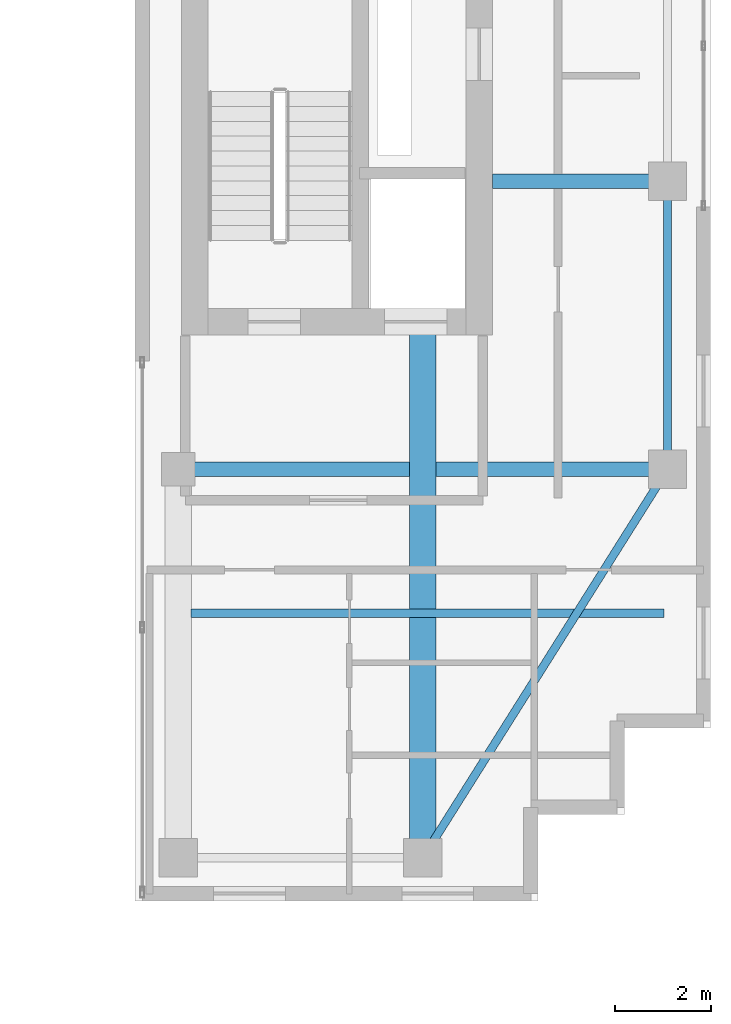
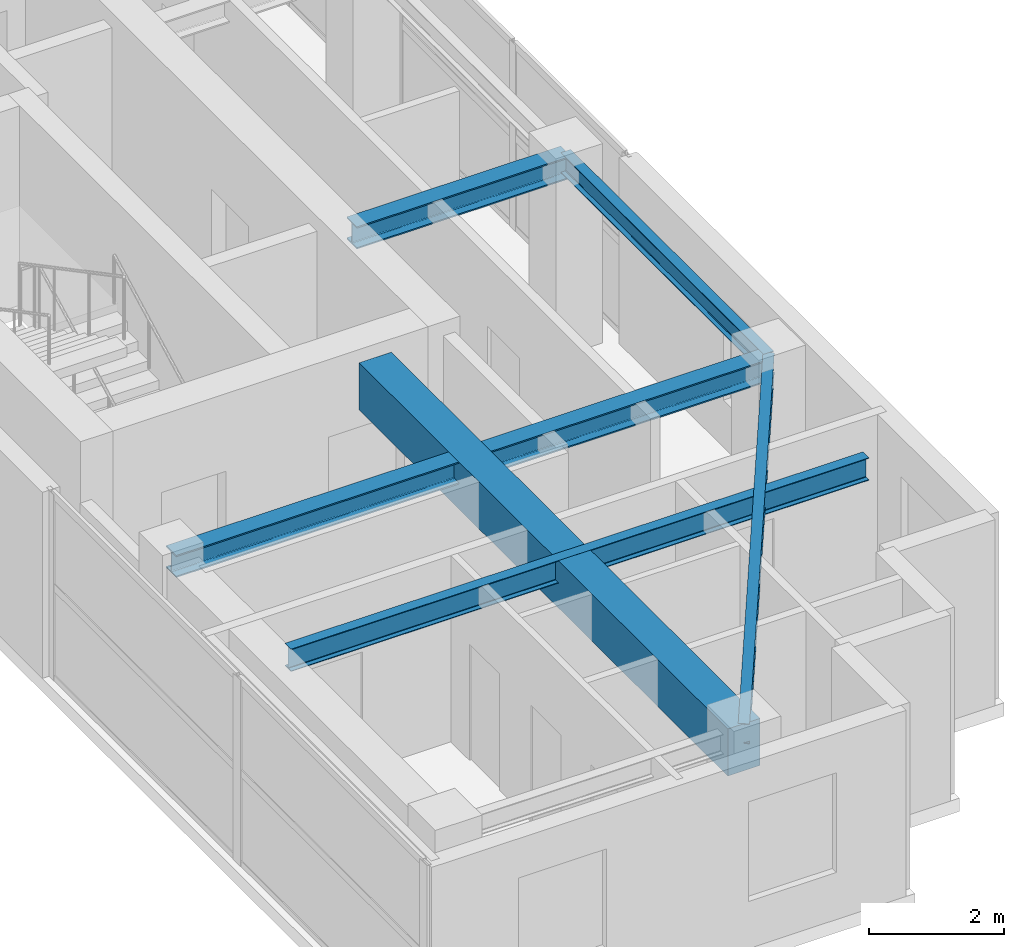
# One storey, part 10 of 22: 6 beams.
"""IFC4 building model written with IfcOpenShell, lengths in metres."""

from ifc_helpers import new_model, si_unit, direction, frame, origin, origin_2d, place, context, subcontext, project, spatial, rectangle, i_section, extrude, source, transform, mapped, material, material_profile, profile_set, type_object, element, save


model = new_model("IFC4")

# Units and contexts
model_context = context("Model", 3, precision=1e-05, world=origin(), true_north=direction((0.0, 1.0)))
body_context = subcontext(model_context, "Body", "Model", "MODEL_VIEW")
ifc_project = project(units=[si_unit("LENGTHUNIT", "METRE"), si_unit("AREAUNIT", "SQUARE_METRE"), si_unit("VOLUMEUNIT", "CUBIC_METRE"), si_unit("PLANEANGLEUNIT", "RADIAN"), si_unit("MASSUNIT", "GRAM", prefix="KILO")], contexts=[model_context])

# Site, building, storey
site_placement = place(None, origin())
site = spatial("IfcSite", under=ifc_project, at=site_placement, CompositionType="ELEMENT")
building_placement = place(site_placement, origin())
building = spatial("IfcBuilding", under=site, at=building_placement, Name="Khoralis Quay Care Tower", CompositionType="ELEMENT")
storey_placement = place(building_placement, frame((0.0, 0.0, 260.10009765625)))
storey = spatial("IfcBuildingStorey", under=building, at=storey_placement, Name="L68", CompositionType="ELEMENT", Elevation=260.10009765625)

# Beams
ifc_material_1 = material(Name="Steel S355", Category="steel")
ifc_material_profile_1 = material_profile(ifc_material_1, i_section(OverallWidth=0.169921875, OverallDepth=0.360107421875, WebThickness=0.008056640625, FlangeThickness=0.0126953125, FilletRadius=0.01806640625, at=origin_2d()), Name="Steel S355")
ifc_profile_set_1 = profile_set([ifc_material_profile_1], Name="Steel S355")
beam_type_1 = type_object("IfcBeamType", Name="BM-IPE360", PredefinedType="SPANDREL", material=ifc_profile_set_1)
shared_shape_1 = source(origin(), body_context, "Body", "SweptSolid", [
    extrude(i_section(OverallWidth=0.169921875, OverallDepth=0.360107421875, WebThickness=0.008056640625, FlangeThickness=0.0126953125, FilletRadius=0.01806640625, at=origin_2d()), origin(), (0.0, 0.0, 1.0), 6.0),
])
beam_1_placement = place(storey_placement, frame((41.10009765625, 12.0, 3.179931640625), z_axis=(0.0, 1.0, 0.0), x_axis=(-1.0, 0.0, 0.0)))
element("IfcBeam", 1, at=beam_1_placement, inside=storey, type_object=beam_type_1, Name="BM-TSP-L68-09", PredefinedType="SPANDREL", context=body_context, shape_type="MappedRepresentation", body=[
    mapped(shared_shape_1, transform((0.0, 0.0, 0.0), scale=1.0)),
])
shared_shape_2 = source(origin(), body_context, "Body", "SweptSolid", [
    extrude(i_section(OverallWidth=0.169921875, OverallDepth=0.360107421875, WebThickness=0.008056640625, FlangeThickness=0.0126953125, FilletRadius=0.01806640625, at=origin_2d()), origin(), (0.0, 0.0, 1.0), 9.572021484375),
])
beam_2_placement = place(storey_placement, frame((36.0, 3.89990234375, 3.179931640625), z_axis=(0.532815975602, 0.846231136359, 0.0), x_axis=(-0.846231136359, 0.532815975602, 0.0)))
element("IfcBeam", 2, at=beam_2_placement, inside=storey, type_object=beam_type_1, Name="BM-TCR-L68-14", PredefinedType="SPANDREL", context=body_context, shape_type="MappedRepresentation", body=[
    mapped(shared_shape_2, transform((0.0, 0.0, 0.0), scale=1.0)),
])
ifc_material_profile_2 = material_profile(ifc_material_1, i_section(OverallWidth=0.300048828125, OverallDepth=0.39990234375, WebThickness=0.013427734375, FlangeThickness=0.02392578125, FilletRadius=0.027099609375, at=origin_2d()), Name="Steel S355")
ifc_profile_set_2 = profile_set([ifc_material_profile_2], Name="Steel S355")
beam_type_2 = type_object("IfcBeamType", Name="BM-HEB400", PredefinedType="BEAM", material=ifc_profile_set_2)
shared_shape_3 = source(origin(), body_context, "Body", "SweptSolid", [
    extrude(i_section(OverallWidth=0.300048828125, OverallDepth=0.39990234375, WebThickness=0.013427734375, FlangeThickness=0.02392578125, FilletRadius=0.027099609375, at=origin_2d()), origin(), (0.0, 0.0, 1.0), 10.2001953125),
])
beam_3_placement = place(storey_placement, frame((30.89990234375, 12.0, 3.159912109375), z_axis=(1.0, 0.0, 0.0), x_axis=(0.0, 1.0, 0.0)))
element("IfcBeam", 3, at=beam_3_placement, inside=storey, type_object=beam_type_2, Name="BM-TGXE-L68-120", PredefinedType="BEAM", context=body_context, shape_type="MappedRepresentation", body=[
    mapped(shared_shape_3, transform((0.0, 0.0, 0.0), scale=1.0)),
])
shared_shape_4 = source(origin(), body_context, "Body", "SweptSolid", [
    extrude(i_section(OverallWidth=0.300048828125, OverallDepth=0.39990234375, WebThickness=0.013427734375, FlangeThickness=0.02392578125, FilletRadius=0.027099609375, at=origin_2d()), origin(), (0.0, 0.0, 1.0), 3.652099609375),
])
beam_4_placement = place(storey_placement, frame((37.447998046875, 18.0, 3.159912109375), z_axis=(1.0, 0.0, 0.0), x_axis=(0.0, 1.0, 0.0)))
element("IfcBeam", 4, at=beam_4_placement, inside=storey, type_object=beam_type_2, Name="BM-TGXE-L68-180", PredefinedType="BEAM", context=body_context, shape_type="MappedRepresentation", body=[
    mapped(shared_shape_4, transform((0.0, 0.0, 0.0), scale=1.0)),
])
ifc_material_2 = material(Name="Concrete C50/60", Category="concrete")
ifc_material_profile_3 = material_profile(ifc_material_2, rectangle(XDim=0.550048828125, YDim=0.85009765625, at=origin_2d()), Name="Concrete C50/60")
ifc_profile_set_3 = profile_set([ifc_material_profile_3], Name="Concrete C50/60")
beam_type_3 = type_object("IfcBeamType", Name="BM-RC550X850", PredefinedType="BEAM", material=ifc_profile_set_3)
shared_shape_5 = source(origin(), body_context, "Body", "SweptSolid", [
    extrude(rectangle(XDim=0.550048828125, YDim=0.85009765625, at=origin_2d()), origin(), (0.0, 0.0, 1.0), 10.902099609375),
])
beam_5_placement = place(storey_placement, frame((36.0, 3.89990234375, 2.934814453125), z_axis=(0.0, 1.0, 0.0), x_axis=(-1.0, 0.0, 0.0)))
element("IfcBeam", 5, at=beam_5_placement, inside=storey, type_object=beam_type_3, Name="BM-TGYS-L68-360", PredefinedType="BEAM", context=body_context, shape_type="MappedRepresentation", body=[
    mapped(shared_shape_5, transform((0.0, 0.0, 0.0), scale=1.0)),
])
ifc_material_profile_4 = material_profile(ifc_material_1, i_section(OverallWidth=0.177978515625, OverallDepth=0.406982421875, WebThickness=0.0078125, FlangeThickness=0.0126953125, FilletRadius=0.012939453125, at=origin_2d()), Name="Steel S355")
ifc_profile_set_4 = profile_set([ifc_material_profile_4], Name="Steel S355")
beam_type_4 = type_object("IfcBeamType", Name="BM-W410X60", PredefinedType="JOIST", material=ifc_profile_set_4)
shared_shape_6 = source(origin(), body_context, "Body", "SweptSolid", [
    extrude(i_section(OverallWidth=0.177978515625, OverallDepth=0.406982421875, WebThickness=0.0078125, FlangeThickness=0.0126953125, FilletRadius=0.012939453125, at=origin_2d()), origin(), (0.0, 0.0, 1.0), 9.865966796875),
])
beam_6_placement = place(storey_placement, frame((31.1630859375, 9.0, 3.156494140625), z_axis=(1.0, 0.0, 0.0), x_axis=(0.0, 1.0, 0.0)))
element("IfcBeam", 6, at=beam_6_placement, inside=storey, type_object=beam_type_4, Name="BM-TJS-L68-18", PredefinedType="JOIST", context=body_context, shape_type="MappedRepresentation", body=[
    mapped(shared_shape_6, transform((0.0, 0.0, 0.0), scale=1.0)),
])

save(model, "model.ifc")
